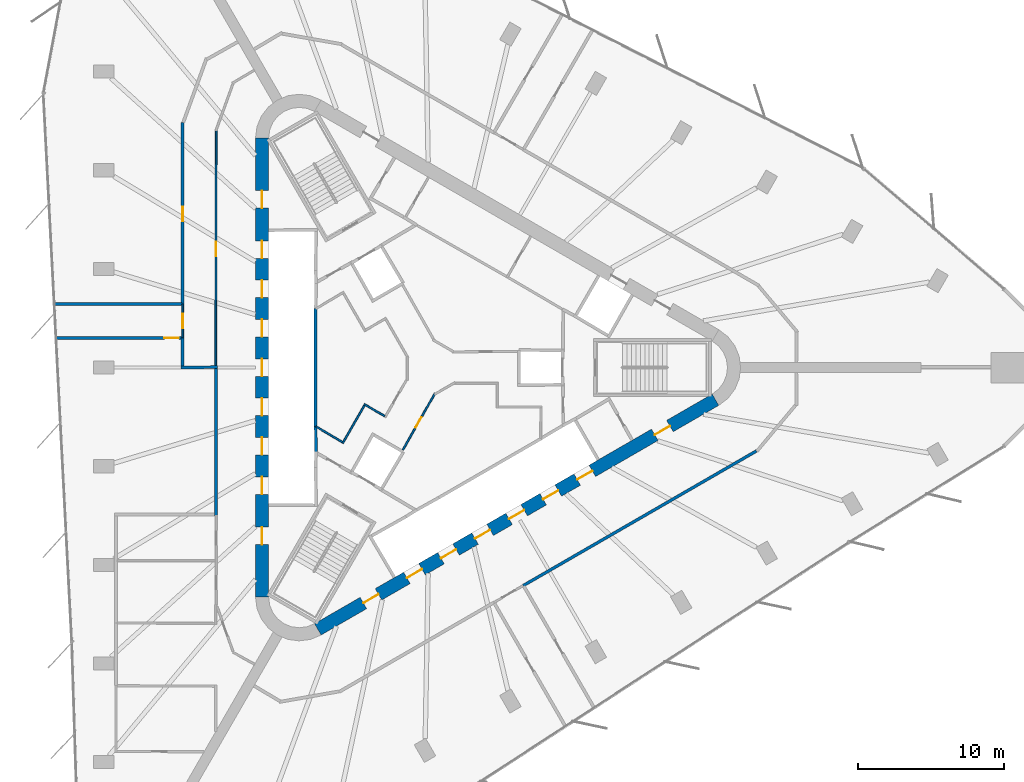
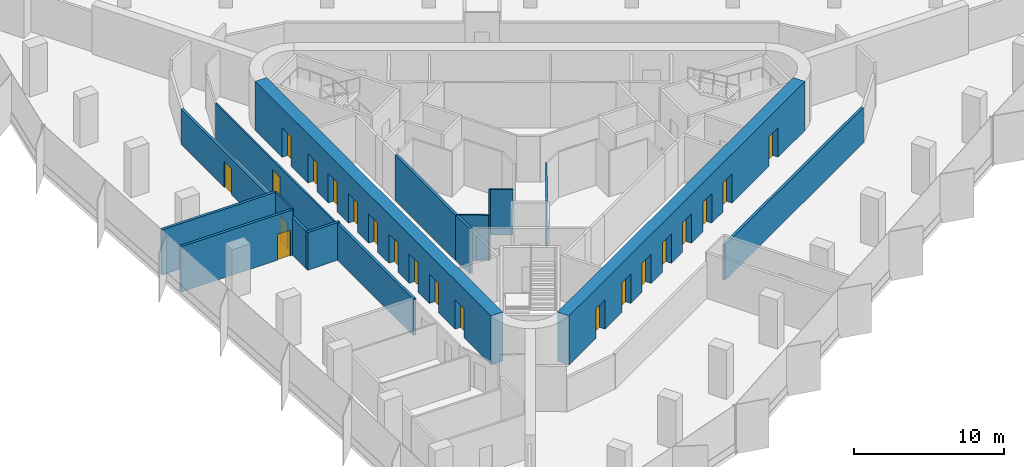
# One storey, part 9 of 13: 22 doors, 17 walls, 22 openings.
"""IFC4 building model written with IfcOpenShell, lengths in metres."""

from ifc_helpers import new_model, si_unit, direction, frame, frame_2d, origin, place, context, subcontext, project, spatial, rectangle, extrude, material, layer, layer_set, type_object, element, fill, save


model = new_model("IFC4")

# Units and contexts
model_context = context("Model", 3, precision=1e-05, world=origin(), true_north=direction((0.0, 1.0)))
body_context = subcontext(model_context, "Body", "Model", "MODEL_VIEW")
ifc_project = project(units=[si_unit("LENGTHUNIT", "METRE"), si_unit("AREAUNIT", "SQUARE_METRE"), si_unit("VOLUMEUNIT", "CUBIC_METRE"), si_unit("PLANEANGLEUNIT", "RADIAN"), si_unit("MASSUNIT", "GRAM", prefix="KILO")], contexts=[model_context])

# Site, building, storey
site_placement = place(None, origin())
site = spatial("IfcSite", under=ifc_project, at=site_placement, CompositionType="ELEMENT")
building_placement = place(site_placement, origin())
building = spatial("IfcBuilding", under=site, at=building_placement, Name="Tanit Gate Tower", CompositionType="ELEMENT")
storey_placement = place(building_placement, frame((0.0, 0.0, 177.199951171875)))
storey = spatial("IfcBuildingStorey", under=building, at=storey_placement, Name="L38", CompositionType="ELEMENT", Elevation=177.199951171875)

# Wall, openings, doors
ifc_material_1 = material(Name="Concrete C50/60", Category="concrete")
ifc_layer_1 = layer(ifc_material_1, 0.89990234375)
ifc_layer_set_1 = layer_set([ifc_layer_1], Name="CORE WALL 900 C50/60")
wall_type_1 = type_object("IfcWallType", Name="CORE WALL 900 C50/60", PredefinedType="SHEAR", material=ifc_layer_set_1)
wall_1_placement = place(storey_placement, frame((-11.64990234375, 15.76171875, 0.0), z_axis=(0.0, 0.0, 1.0), x_axis=(0.0, -1.0, 0.0)))
wall_1 = element("IfcWall", 1, at=wall_1_placement, inside=storey, type_object=wall_type_1, Name="CORE WALL", PredefinedType="SHEAR", context=body_context, shape_type="SweptSolid", body=[
    extrude(rectangle(XDim=31.5234375, YDim=0.89990234375, at=frame_2d((15.76171875, 0.0))), origin(), (0.0, 0.0, 1.0), 4.0),
])
opening_1_placement = place(wall_1_placement, frame((7.061767578125, 0.0, 0.0)))
opening_1 = element("IfcOpeningElement", 2, at=opening_1_placement, cuts=wall_1, Name="Opening LDML1-S09", PredefinedType="OPENING", context=body_context, shape_type="SweptSolid", body=[
    extrude(rectangle(XDim=1.199951171875, YDim=2.39990234375, at=frame_2d((0.60009765625, 1.199951171875))), frame((0.0, 0.4599609375, 0.0), z_axis=(0.0, -1.0, 0.0), x_axis=(1.0, 0.0, 0.0)), (0.0, 0.0, 1.0), 0.919921875),
])
opening_2_placement = place(wall_1_placement, frame((9.76171875, 0.0, 0.0)))
opening_2 = element("IfcOpeningElement", 3, at=opening_2_placement, cuts=wall_1, Name="Opening LDML2-S09", PredefinedType="OPENING", context=body_context, shape_type="SweptSolid", body=[
    extrude(rectangle(XDim=1.199951171875, YDim=2.39990234375, at=frame_2d((0.60009765625, 1.199951171875))), frame((0.0, 0.4599609375, 0.0), z_axis=(0.0, -1.0, 0.0), x_axis=(1.0, 0.0, 0.0)), (0.0, 0.0, 1.0), 0.919921875),
])
opening_3_placement = place(wall_1_placement, frame((12.461669921875, 0.0, 0.0)))
opening_3 = element("IfcOpeningElement", 4, at=opening_3_placement, cuts=wall_1, Name="Opening LDML3-S09", PredefinedType="OPENING", context=body_context, shape_type="SweptSolid", body=[
    extrude(rectangle(XDim=1.199951171875, YDim=2.39990234375, at=frame_2d((0.60009765625, 1.199951171875))), frame((0.0, 0.4599609375, 0.0), z_axis=(0.0, -1.0, 0.0), x_axis=(1.0, 0.0, 0.0)), (0.0, 0.0, 1.0), 0.919921875),
])
opening_4_placement = place(wall_1_placement, frame((15.16162109375, 0.0, 0.0)))
opening_4 = element("IfcOpeningElement", 5, at=opening_4_placement, cuts=wall_1, Name="Opening LDML4-S09", PredefinedType="OPENING", context=body_context, shape_type="SweptSolid", body=[
    extrude(rectangle(XDim=1.199951171875, YDim=2.39990234375, at=frame_2d((0.60009765625, 1.199951171875))), frame((0.0, 0.4599609375, 0.0), z_axis=(0.0, -1.0, 0.0), x_axis=(1.0, 0.0, 0.0)), (0.0, 0.0, 1.0), 0.919921875),
])
opening_5_placement = place(wall_1_placement, frame((17.86181640625, 0.0, 0.0)))
opening_5 = element("IfcOpeningElement", 6, at=opening_5_placement, cuts=wall_1, Name="Opening LDML5-S09", PredefinedType="OPENING", context=body_context, shape_type="SweptSolid", body=[
    extrude(rectangle(XDim=1.199951171875, YDim=2.39990234375, at=frame_2d((0.60009765625, 1.199951171875))), frame((0.0, 0.4599609375, 0.0), z_axis=(0.0, -1.0, 0.0), x_axis=(1.0, 0.0, 0.0)), (0.0, 0.0, 1.0), 0.919921875),
])
opening_6_placement = place(wall_1_placement, frame((20.561767578125, 0.0, 0.0)))
opening_6 = element("IfcOpeningElement", 7, at=opening_6_placement, cuts=wall_1, Name="Opening LDML6-S09", PredefinedType="OPENING", context=body_context, shape_type="SweptSolid", body=[
    extrude(rectangle(XDim=1.199951171875, YDim=2.39990234375, at=frame_2d((0.60009765625, 1.199951171875))), frame((0.0, 0.4599609375, 0.0), z_axis=(0.0, -1.0, 0.0), x_axis=(1.0, 0.0, 0.0)), (0.0, 0.0, 1.0), 0.919921875),
])
opening_7_placement = place(wall_1_placement, frame((23.26171875, 0.0, 0.0)))
opening_7 = element("IfcOpeningElement", 8, at=opening_7_placement, cuts=wall_1, Name="Opening LDML7-S09", PredefinedType="OPENING", context=body_context, shape_type="SweptSolid", body=[
    extrude(rectangle(XDim=1.199951171875, YDim=2.39990234375, at=frame_2d((0.60009765625, 1.199951171875))), frame((0.0, 0.4599609375, 0.0), z_axis=(0.0, -1.0, 0.0), x_axis=(1.0, 0.0, 0.0)), (0.0, 0.0, 1.0), 0.919921875),
])
opening_8_placement = place(wall_1_placement, frame((3.61181640625, 0.0, 0.0)))
opening_8 = element("IfcOpeningElement", 9, at=opening_8_placement, cuts=wall_1, Name="Opening F12-S09-FL2", PredefinedType="OPENING", context=body_context, shape_type="SweptSolid", body=[
    extrude(rectangle(XDim=1.199951171875, YDim=2.39990234375, at=frame_2d((0.60009765625, 1.199951171875))), frame((0.0, 0.4599609375, 0.0), z_axis=(0.0, -1.0, 0.0), x_axis=(1.0, 0.0, 0.0)), (0.0, 0.0, 1.0), 0.919921875),
])
opening_9_placement = place(wall_1_placement, frame((26.711669921875, 0.0, 0.0)))
opening_9 = element("IfcOpeningElement", 10, at=opening_9_placement, cuts=wall_1, Name="Opening F12-S09-S3", PredefinedType="OPENING", context=body_context, shape_type="SweptSolid", body=[
    extrude(rectangle(XDim=1.199951171875, YDim=2.39990234375, at=frame_2d((0.60009765625, 1.199951171875))), frame((0.0, 0.4599609375, 0.0), z_axis=(0.0, -1.0, 0.0), x_axis=(1.0, 0.0, 0.0)), (0.0, 0.0, 1.0), 0.919921875),
])
ifc_material_2 = material(Name="Fire-rated steel door leaf", Category="steel")
door_type_1 = type_object("IfcDoorType", Name="INT-DOOR-FIRE-LOBBY-1200", OperationType="NOTDEFINED", PredefinedType="USERDEFINED", material=ifc_material_2)
door_1_placement = place(opening_8_placement, origin())
door_1 = element("IfcDoor", 11, at=door_1_placement, inside=storey, type_object=door_type_1, Name="Door F12-S09-FL2", ObjectType="FIRE DOOR", OperationType="SINGLE_SWING_RIGHT", OverallHeight=2.39990234375, OverallWidth=1.199951171875, PredefinedType="USERDEFINED", context=body_context, shape_type="SweptSolid", body=[
    extrude(rectangle(XDim=1.199951171875, YDim=2.39990234375, at=frame_2d((0.60009765625, 1.199951171875))), frame((0.0, 0.02490234375, 0.0), z_axis=(0.0, -1.0, 0.0), x_axis=(1.0, 0.0, 0.0)), (0.0, 0.0, 1.0), 0.050048828125),
])
fill(opening_8, door_1)
door_2_placement = place(opening_9_placement, origin())
door_2 = element("IfcDoor", 12, at=door_2_placement, inside=storey, type_object=door_type_1, Name="Door F12-S09-S3", ObjectType="FIRE DOOR", OperationType="SINGLE_SWING_LEFT", OverallHeight=2.39990234375, OverallWidth=1.199951171875, PredefinedType="USERDEFINED", context=body_context, shape_type="SweptSolid", body=[
    extrude(rectangle(XDim=1.199951171875, YDim=2.39990234375, at=frame_2d((0.60009765625, 1.199951171875))), frame((0.0, 0.02490234375, 0.0), z_axis=(0.0, -1.0, 0.0), x_axis=(1.0, 0.0, 0.0)), (0.0, 0.0, 1.0), 0.050048828125),
])
fill(opening_9, door_2)
ifc_material_3 = material(Name="Stainless steel sliding door leaf", Category="steel")
door_type_2 = type_object("IfcDoorType", Name="INT-DOOR-LANDING-1200", OperationType="NOTDEFINED", PredefinedType="USERDEFINED", material=ifc_material_3)
door_3_placement = place(opening_1_placement, origin())
door_3 = element("IfcDoor", 13, at=door_3_placement, inside=storey, type_object=door_type_2, Name="Door LDML1-S09", ObjectType="LANDING DOOR", OperationType="SLIDING_TO_LEFT", OverallHeight=2.39990234375, OverallWidth=1.199951171875, PredefinedType="USERDEFINED", context=body_context, shape_type="SweptSolid", body=[
    extrude(rectangle(XDim=1.199951171875, YDim=2.39990234375, at=frame_2d((0.60009765625, 1.199951171875))), frame((0.0, 0.02490234375, 0.0), z_axis=(0.0, -1.0, 0.0), x_axis=(1.0, 0.0, 0.0)), (0.0, 0.0, 1.0), 0.050048828125),
])
fill(opening_1, door_3)
door_4_placement = place(opening_2_placement, origin())
door_4 = element("IfcDoor", 14, at=door_4_placement, inside=storey, type_object=door_type_2, Name="Door LDML2-S09", ObjectType="LANDING DOOR", OperationType="SLIDING_TO_LEFT", OverallHeight=2.39990234375, OverallWidth=1.199951171875, PredefinedType="USERDEFINED", context=body_context, shape_type="SweptSolid", body=[
    extrude(rectangle(XDim=1.199951171875, YDim=2.39990234375, at=frame_2d((0.60009765625, 1.199951171875))), frame((0.0, 0.02490234375, 0.0), z_axis=(0.0, -1.0, 0.0), x_axis=(1.0, 0.0, 0.0)), (0.0, 0.0, 1.0), 0.050048828125),
])
fill(opening_2, door_4)
door_5_placement = place(opening_3_placement, origin())
door_5 = element("IfcDoor", 15, at=door_5_placement, inside=storey, type_object=door_type_2, Name="Door LDML3-S09", ObjectType="LANDING DOOR", OperationType="SLIDING_TO_LEFT", OverallHeight=2.39990234375, OverallWidth=1.199951171875, PredefinedType="USERDEFINED", context=body_context, shape_type="SweptSolid", body=[
    extrude(rectangle(XDim=1.199951171875, YDim=2.39990234375, at=frame_2d((0.60009765625, 1.199951171875))), frame((0.0, 0.02490234375, 0.0), z_axis=(0.0, -1.0, 0.0), x_axis=(1.0, 0.0, 0.0)), (0.0, 0.0, 1.0), 0.050048828125),
])
fill(opening_3, door_5)
door_6_placement = place(opening_4_placement, origin())
door_6 = element("IfcDoor", 16, at=door_6_placement, inside=storey, type_object=door_type_2, Name="Door LDML4-S09", ObjectType="LANDING DOOR", OperationType="SLIDING_TO_LEFT", OverallHeight=2.39990234375, OverallWidth=1.199951171875, PredefinedType="USERDEFINED", context=body_context, shape_type="SweptSolid", body=[
    extrude(rectangle(XDim=1.199951171875, YDim=2.39990234375, at=frame_2d((0.60009765625, 1.199951171875))), frame((0.0, 0.02490234375, 0.0), z_axis=(0.0, -1.0, 0.0), x_axis=(1.0, 0.0, 0.0)), (0.0, 0.0, 1.0), 0.050048828125),
])
fill(opening_4, door_6)
door_7_placement = place(opening_5_placement, origin())
door_7 = element("IfcDoor", 17, at=door_7_placement, inside=storey, type_object=door_type_2, Name="Door LDML5-S09", ObjectType="LANDING DOOR", OperationType="SLIDING_TO_LEFT", OverallHeight=2.39990234375, OverallWidth=1.199951171875, PredefinedType="USERDEFINED", context=body_context, shape_type="SweptSolid", body=[
    extrude(rectangle(XDim=1.199951171875, YDim=2.39990234375, at=frame_2d((0.60009765625, 1.199951171875))), frame((0.0, 0.02490234375, 0.0), z_axis=(0.0, -1.0, 0.0), x_axis=(1.0, 0.0, 0.0)), (0.0, 0.0, 1.0), 0.050048828125),
])
fill(opening_5, door_7)
door_8_placement = place(opening_6_placement, origin())
door_8 = element("IfcDoor", 18, at=door_8_placement, inside=storey, type_object=door_type_2, Name="Door LDML6-S09", ObjectType="LANDING DOOR", OperationType="SLIDING_TO_LEFT", OverallHeight=2.39990234375, OverallWidth=1.199951171875, PredefinedType="USERDEFINED", context=body_context, shape_type="SweptSolid", body=[
    extrude(rectangle(XDim=1.199951171875, YDim=2.39990234375, at=frame_2d((0.60009765625, 1.199951171875))), frame((0.0, 0.02490234375, 0.0), z_axis=(0.0, -1.0, 0.0), x_axis=(1.0, 0.0, 0.0)), (0.0, 0.0, 1.0), 0.050048828125),
])
fill(opening_6, door_8)
door_9_placement = place(opening_7_placement, origin())
door_9 = element("IfcDoor", 19, at=door_9_placement, inside=storey, type_object=door_type_2, Name="Door LDML7-S09", ObjectType="LANDING DOOR", OperationType="SLIDING_TO_LEFT", OverallHeight=2.39990234375, OverallWidth=1.199951171875, PredefinedType="USERDEFINED", context=body_context, shape_type="SweptSolid", body=[
    extrude(rectangle(XDim=1.199951171875, YDim=2.39990234375, at=frame_2d((0.60009765625, 1.199951171875))), frame((0.0, 0.02490234375, 0.0), z_axis=(0.0, -1.0, 0.0), x_axis=(1.0, 0.0, 0.0)), (0.0, 0.0, 1.0), 0.050048828125),
])
fill(opening_7, door_9)

wall_2_placement = place(storey_placement, frame((-7.824951171875, -17.969970703125, 0.0), z_axis=(0.0, 0.0, 1.0), x_axis=(0.866028369851, 0.499994862586, 0.0)))
wall_2 = element("IfcWall", 20, at=wall_2_placement, inside=storey, type_object=wall_type_1, Name="CORE WALL", PredefinedType="SHEAR", context=body_context, shape_type="SweptSolid", body=[
    extrude(rectangle(XDim=31.523193359375, YDim=0.89990234375, at=frame_2d((15.76171875, 0.0))), origin(), (0.0, 0.0, 1.0), 4.0),
])
opening_10_placement = place(wall_2_placement, frame((7.061767578125, 0.0, 0.0)))
opening_10 = element("IfcOpeningElement", 21, at=opening_10_placement, cuts=wall_2, Name="Opening LDSX1-S09", PredefinedType="OPENING", context=body_context, shape_type="SweptSolid", body=[
    extrude(rectangle(XDim=1.199951171875, YDim=2.39990234375, at=frame_2d((0.60009765625, 1.199951171875))), frame((0.0, 0.4599609375, 0.0), z_axis=(0.0, -1.0, 0.0), x_axis=(1.0, 0.0, 0.0)), (0.0, 0.0, 1.0), 0.919921875),
])
opening_11_placement = place(wall_2_placement, frame((9.76171875, 0.0, 0.0)))
opening_11 = element("IfcOpeningElement", 22, at=opening_11_placement, cuts=wall_2, Name="Opening LDSX2-S09", PredefinedType="OPENING", context=body_context, shape_type="SweptSolid", body=[
    extrude(rectangle(XDim=1.199951171875, YDim=2.39990234375, at=frame_2d((0.60009765625, 1.199951171875))), frame((0.0, 0.4599609375, 0.0), z_axis=(0.0, -1.0, 0.0), x_axis=(1.0, 0.0, 0.0)), (0.0, 0.0, 1.0), 0.919921875),
])
opening_12_placement = place(wall_2_placement, frame((12.461669921875, 0.0, 0.0)))
opening_12 = element("IfcOpeningElement", 23, at=opening_12_placement, cuts=wall_2, Name="Opening LDSX3-S09", PredefinedType="OPENING", context=body_context, shape_type="SweptSolid", body=[
    extrude(rectangle(XDim=1.199951171875, YDim=2.39990234375, at=frame_2d((0.60009765625, 1.199951171875))), frame((0.0, 0.4599609375, 0.0), z_axis=(0.0, -1.0, 0.0), x_axis=(1.0, 0.0, 0.0)), (0.0, 0.0, 1.0), 0.919921875),
])
opening_13_placement = place(wall_2_placement, frame((15.16162109375, 0.0, 0.0)))
opening_13 = element("IfcOpeningElement", 24, at=opening_13_placement, cuts=wall_2, Name="Opening LDSX4-S09", PredefinedType="OPENING", context=body_context, shape_type="SweptSolid", body=[
    extrude(rectangle(XDim=1.199951171875, YDim=2.39990234375, at=frame_2d((0.60009765625, 1.199951171875))), frame((0.0, 0.4599609375, 0.0), z_axis=(0.0, -1.0, 0.0), x_axis=(1.0, 0.0, 0.0)), (0.0, 0.0, 1.0), 0.919921875),
])
opening_14_placement = place(wall_2_placement, frame((17.861572265625, 0.0, 0.0)))
opening_14 = element("IfcOpeningElement", 25, at=opening_14_placement, cuts=wall_2, Name="Opening LDSV1-S09", PredefinedType="OPENING", context=body_context, shape_type="SweptSolid", body=[
    extrude(rectangle(XDim=1.199951171875, YDim=2.39990234375, at=frame_2d((0.60009765625, 1.199951171875))), frame((0.0, 0.4599609375, 0.0), z_axis=(0.0, -1.0, 0.0), x_axis=(1.0, 0.0, 0.0)), (0.0, 0.0, 1.0), 0.919921875),
])
opening_15_placement = place(wall_2_placement, frame((20.561767578125, 0.0, 0.0)))
opening_15 = element("IfcOpeningElement", 26, at=opening_15_placement, cuts=wall_2, Name="Opening LDSV2-S09", PredefinedType="OPENING", context=body_context, shape_type="SweptSolid", body=[
    extrude(rectangle(XDim=1.199951171875, YDim=2.39990234375, at=frame_2d((0.60009765625, 1.199951171875))), frame((0.0, 0.4599609375, 0.0), z_axis=(0.0, -1.0, 0.0), x_axis=(1.0, 0.0, 0.0)), (0.0, 0.0, 1.0), 0.919921875),
])
opening_16_placement = place(wall_2_placement, frame((26.711669921875, 0.0, 0.0)))
opening_16 = element("IfcOpeningElement", 27, at=opening_16_placement, cuts=wall_2, Name="Opening F12-S09-S1", PredefinedType="OPENING", context=body_context, shape_type="SweptSolid", body=[
    extrude(rectangle(XDim=1.199951171875, YDim=2.39990234375, at=frame_2d((0.60009765625, 1.199951171875))), frame((0.0, 0.4599609375, 0.0), z_axis=(0.0, -1.0, 0.0), x_axis=(1.0, 0.0, 0.0)), (0.0, 0.0, 1.0), 0.919921875),
])
opening_17_placement = place(wall_2_placement, frame((3.611572265625, 0.0, 0.0)))
opening_17 = element("IfcOpeningElement", 28, at=opening_17_placement, cuts=wall_2, Name="Opening F12-S09-FL3", PredefinedType="OPENING", context=body_context, shape_type="SweptSolid", body=[
    extrude(rectangle(XDim=1.199951171875, YDim=2.39990234375, at=frame_2d((0.60009765625, 1.199951171875))), frame((0.0, 0.4599609375, 0.0), z_axis=(0.0, -1.0, 0.0), x_axis=(1.0, 0.0, 0.0)), (0.0, 0.0, 1.0), 0.919921875),
])
door_10_placement = place(opening_16_placement, origin())
door_10 = element("IfcDoor", 29, at=door_10_placement, inside=storey, type_object=door_type_1, Name="Door F12-S09-S1", ObjectType="FIRE DOOR", OperationType="SINGLE_SWING_RIGHT", OverallHeight=2.39990234375, OverallWidth=1.199951171875, PredefinedType="USERDEFINED", context=body_context, shape_type="SweptSolid", body=[
    extrude(rectangle(XDim=1.199951171875, YDim=2.39990234375, at=frame_2d((0.60009765625, 1.199951171875))), frame((0.0, 0.02490234375, 0.0), z_axis=(0.0, -1.0, 0.0), x_axis=(1.0, 0.0, 0.0)), (0.0, 0.0, 1.0), 0.050048828125),
])
fill(opening_16, door_10)
door_11_placement = place(opening_17_placement, origin())
door_11 = element("IfcDoor", 30, at=door_11_placement, inside=storey, type_object=door_type_1, Name="Door F12-S09-FL3", ObjectType="FIRE DOOR", OperationType="SINGLE_SWING_RIGHT", OverallHeight=2.39990234375, OverallWidth=1.199951171875, PredefinedType="USERDEFINED", context=body_context, shape_type="SweptSolid", body=[
    extrude(rectangle(XDim=1.199951171875, YDim=2.39990234375, at=frame_2d((0.60009765625, 1.199951171875))), frame((0.0, 0.02490234375, 0.0), z_axis=(0.0, -1.0, 0.0), x_axis=(1.0, 0.0, 0.0)), (0.0, 0.0, 1.0), 0.050048828125),
])
fill(opening_17, door_11)
door_12_placement = place(opening_10_placement, origin())
door_12 = element("IfcDoor", 31, at=door_12_placement, inside=storey, type_object=door_type_2, Name="Door LDSX1-S09", ObjectType="LANDING DOOR", OperationType="SLIDING_TO_LEFT", OverallHeight=2.39990234375, OverallWidth=1.199951171875, PredefinedType="USERDEFINED", context=body_context, shape_type="SweptSolid", body=[
    extrude(rectangle(XDim=1.199951171875, YDim=2.39990234375, at=frame_2d((0.60009765625, 1.199951171875))), frame((0.0, 0.02490234375, 0.0), z_axis=(0.0, -1.0, 0.0), x_axis=(1.0, 0.0, 0.0)), (0.0, 0.0, 1.0), 0.050048828125),
])
fill(opening_10, door_12)
door_13_placement = place(opening_11_placement, origin())
door_13 = element("IfcDoor", 32, at=door_13_placement, inside=storey, type_object=door_type_2, Name="Door LDSX2-S09", ObjectType="LANDING DOOR", OperationType="SLIDING_TO_LEFT", OverallHeight=2.39990234375, OverallWidth=1.199951171875, PredefinedType="USERDEFINED", context=body_context, shape_type="SweptSolid", body=[
    extrude(rectangle(XDim=1.199951171875, YDim=2.39990234375, at=frame_2d((0.60009765625, 1.199951171875))), frame((0.0, 0.02490234375, 0.0), z_axis=(0.0, -1.0, 0.0), x_axis=(1.0, 0.0, 0.0)), (0.0, 0.0, 1.0), 0.050048828125),
])
fill(opening_11, door_13)
door_14_placement = place(opening_12_placement, origin())
door_14 = element("IfcDoor", 33, at=door_14_placement, inside=storey, type_object=door_type_2, Name="Door LDSX3-S09", ObjectType="LANDING DOOR", OperationType="SLIDING_TO_LEFT", OverallHeight=2.39990234375, OverallWidth=1.199951171875, PredefinedType="USERDEFINED", context=body_context, shape_type="SweptSolid", body=[
    extrude(rectangle(XDim=1.199951171875, YDim=2.39990234375, at=frame_2d((0.60009765625, 1.199951171875))), frame((0.0, 0.02490234375, 0.0), z_axis=(0.0, -1.0, 0.0), x_axis=(1.0, 0.0, 0.0)), (0.0, 0.0, 1.0), 0.050048828125),
])
fill(opening_12, door_14)
door_15_placement = place(opening_13_placement, origin())
door_15 = element("IfcDoor", 34, at=door_15_placement, inside=storey, type_object=door_type_2, Name="Door LDSX4-S09", ObjectType="LANDING DOOR", OperationType="SLIDING_TO_LEFT", OverallHeight=2.39990234375, OverallWidth=1.199951171875, PredefinedType="USERDEFINED", context=body_context, shape_type="SweptSolid", body=[
    extrude(rectangle(XDim=1.199951171875, YDim=2.39990234375, at=frame_2d((0.60009765625, 1.199951171875))), frame((0.0, 0.02490234375, 0.0), z_axis=(0.0, -1.0, 0.0), x_axis=(1.0, 0.0, 0.0)), (0.0, 0.0, 1.0), 0.050048828125),
])
fill(opening_13, door_15)
door_16_placement = place(opening_14_placement, origin())
door_16 = element("IfcDoor", 35, at=door_16_placement, inside=storey, type_object=door_type_2, Name="Door LDSV1-S09", ObjectType="LANDING DOOR", OperationType="SLIDING_TO_LEFT", OverallHeight=2.39990234375, OverallWidth=1.199951171875, PredefinedType="USERDEFINED", context=body_context, shape_type="SweptSolid", body=[
    extrude(rectangle(XDim=1.199951171875, YDim=2.39990234375, at=frame_2d((0.60009765625, 1.199951171875))), frame((0.0, 0.02490234375, 0.0), z_axis=(0.0, -1.0, 0.0), x_axis=(1.0, 0.0, 0.0)), (0.0, 0.0, 1.0), 0.050048828125),
])
fill(opening_14, door_16)
door_17_placement = place(opening_15_placement, origin())
door_17 = element("IfcDoor", 36, at=door_17_placement, inside=storey, type_object=door_type_2, Name="Door LDSV2-S09", ObjectType="LANDING DOOR", OperationType="SLIDING_TO_LEFT", OverallHeight=2.39990234375, OverallWidth=1.199951171875, PredefinedType="USERDEFINED", context=body_context, shape_type="SweptSolid", body=[
    extrude(rectangle(XDim=1.199951171875, YDim=2.39990234375, at=frame_2d((0.60009765625, 1.199951171875))), frame((0.0, 0.02490234375, 0.0), z_axis=(0.0, -1.0, 0.0), x_axis=(1.0, 0.0, 0.0)), (0.0, 0.0, 1.0), 0.050048828125),
])
fill(opening_15, door_17)

# Wall
ifc_material_4 = material(Name="Fire-rated gypsum board partition")
ifc_layer_2 = layer(ifc_material_4, 0.199951171875)
ifc_layer_set_2 = layer_set([ifc_layer_2], Name="INT-WALL-COMPARTMENT")
wall_type_2 = type_object("IfcWallType", Name="INT-WALL-COMPARTMENT", PredefinedType="PARTITIONING", material=ifc_layer_set_2)
wall_3_placement = place(storey_placement, frame((-17.199951171875, -0.001220703125, 0.0), z_axis=(0.0, 0.0, 1.0), x_axis=(0.999915662945, 0.012987185857, 0.0)))
element("IfcWall", 37, at=wall_3_placement, inside=storey, type_object=wall_type_2, Name="Wall Compartment W087", PredefinedType="PARTITIONING", context=body_context, shape_type="SweptSolid", body=[
    extrude(rectangle(XDim=2.500244140625, YDim=0.199951171875, at=frame_2d((1.25, 0.0))), origin(), (0.0, 0.0, 1.0), 3.070068359375),
])

# Wall, opening, door
wall_4_placement = place(storey_placement, frame((-17.10009765625, 16.82275390625, 0.0), z_axis=(0.0, 0.0, 1.0), x_axis=(0.0, -1.0, 0.0)))
wall_4 = element("IfcWall", 38, at=wall_4_placement, inside=storey, type_object=wall_type_2, Name="Wall Compartment W089", PredefinedType="PARTITIONING", context=body_context, shape_type="SweptSolid", body=[
    extrude(rectangle(XDim=12.47265625, YDim=0.199951171875, at=frame_2d((6.236328125, 0.0))), origin(), (0.0, 0.0, 1.0), 2.880126953125),
])
opening_18_placement = place(wall_4_placement, frame((5.7763671875, 0.0, 0.0)))
opening_18 = element("IfcOpeningElement", 39, at=opening_18_placement, cuts=wall_4, Name="Opening F10-S09-25", PredefinedType="OPENING", context=body_context, shape_type="SweptSolid", body=[
    extrude(rectangle(XDim=1.0, YDim=2.10009765625, at=frame_2d((0.5, 1.050048828125))), frame((0.0, 0.10986328125, 0.0), z_axis=(0.0, -1.0, 0.0), x_axis=(1.0, 0.0, 0.0)), (0.0, 0.0, 1.0), 0.219970703125),
])
ifc_material_5 = material(Name="Fire-rated steel door leaf", Category="steel")
door_type_3 = type_object("IfcDoorType", Name="INT-DOOR-FIRE-1000", OperationType="NOTDEFINED", PredefinedType="USERDEFINED", material=ifc_material_5)
door_18_placement = place(opening_18_placement, origin())
door_18 = element("IfcDoor", 40, at=door_18_placement, inside=storey, type_object=door_type_3, Name="Door F10-S09-25", ObjectType="FIRE DOOR", OperationType="SINGLE_SWING_RIGHT", OverallHeight=2.10009765625, OverallWidth=1.0, PredefinedType="USERDEFINED", context=body_context, shape_type="SweptSolid", body=[
    extrude(rectangle(XDim=1.0, YDim=2.10009765625, at=frame_2d((0.5, 1.050048828125))), frame((0.0, 0.02490234375, 0.0), z_axis=(0.0, -1.0, 0.0), x_axis=(1.0, 0.0, 0.0)), (0.0, 0.0, 1.0), 0.050048828125),
])
fill(opening_18, door_18)

# Walls
wall_5_placement = place(storey_placement, frame((-17.10009765625, 2.050048828125, 0.0), z_axis=(0.0, 0.0, 1.0), x_axis=(0.0, -1.0, 0.0)))
element("IfcWall", 41, at=wall_5_placement, inside=storey, type_object=wall_type_2, Name="Wall Compartment W088", PredefinedType="PARTITIONING", context=body_context, shape_type="SweptSolid", body=[
    extrude(rectangle(XDim=1.949951171875, YDim=0.199951171875, at=frame_2d((0.97509765625, 0.0))), origin(), (0.0, 0.0, 1.0), 3.070068359375),
])
wall_6_placement = place(storey_placement, frame((-14.800048828125, -0.070068359375, 0.0), z_axis=(0.0, 0.0, 1.0), x_axis=(0.0, -1.0, 0.0)))
element("IfcWall", 42, at=wall_6_placement, inside=storey, type_object=wall_type_2, Name="Wall Compartment W092", PredefinedType="PARTITIONING", context=body_context, shape_type="SweptSolid", body=[
    extrude(rectangle(XDim=10.1298828125, YDim=0.199951171875, at=frame_2d((5.06494140625, 0.0))), origin(), (0.0, 0.0, 1.0), 2.97998046875),
])
wall_7_placement = place(storey_placement, frame((6.274658203125, -14.968017578125, 0.0), z_axis=(0.0, 0.0, 1.0), x_axis=(0.866028424491, 0.499994767946, 0.0)))
element("IfcWall", 43, at=wall_7_placement, inside=storey, type_object=wall_type_2, Name="Wall Compartment W107", PredefinedType="PARTITIONING", context=body_context, shape_type="SweptSolid", body=[
    extrude(rectangle(XDim=18.496337890625, YDim=0.199951171875, at=frame_2d((9.248046875, 0.0))), origin(), (0.0, 0.0, 1.0), 2.880126953125),
])

# Wall, opening, door
wall_8_placement = place(storey_placement, frame((-25.783935546875, 2.030029296875, 0.0), z_axis=(0.0, 0.0, 1.0), x_axis=(1.0, 0.0, 0.0)))
wall_8 = element("IfcWall", 44, at=wall_8_placement, inside=storey, type_object=wall_type_2, Name="Wall Compartment W111", PredefinedType="PARTITIONING", context=body_context, shape_type="SweptSolid", body=[
    extrude(rectangle(XDim=8.6240234375, YDim=0.199951171875, at=frame_2d((4.31201171875, 0.0))), origin(), (0.0, 0.0, 1.0), 3.699951171875),
])
opening_19_placement = place(wall_8_placement, frame((7.423828125, 0.0, 0.0)))
opening_19 = element("IfcOpeningElement", 45, at=opening_19_placement, cuts=wall_8, Name="Opening F10-S09-24", PredefinedType="OPENING", context=body_context, shape_type="SweptSolid", body=[
    extrude(rectangle(XDim=1.0, YDim=2.10009765625, at=frame_2d((0.5, 1.050048828125))), frame((0.0, 0.10986328125, 0.0), z_axis=(0.0, -1.0, 0.0), x_axis=(1.0, 0.0, 0.0)), (0.0, 0.0, 1.0), 0.219970703125),
])
door_19_placement = place(opening_19_placement, origin())
door_19 = element("IfcDoor", 46, at=door_19_placement, inside=storey, type_object=door_type_3, Name="Door F10-S09-24", ObjectType="FIRE DOOR", OperationType="SINGLE_SWING_LEFT", OverallHeight=2.10009765625, OverallWidth=1.0, PredefinedType="USERDEFINED", context=body_context, shape_type="SweptSolid", body=[
    extrude(rectangle(XDim=1.0, YDim=2.10009765625, at=frame_2d((0.5, 1.050048828125))), frame((0.0, 0.02490234375, 0.0), z_axis=(0.0, -1.0, 0.0), x_axis=(1.0, 0.0, 0.0)), (0.0, 0.0, 1.0), 0.050048828125),
])
fill(opening_19, door_19)

# Wall
wall_9_placement = place(storey_placement, frame((-17.159912109375, 4.3701171875, 0.0), z_axis=(0.0, 0.0, 1.0), x_axis=(-1.0, 0.0, 0.0)))
element("IfcWall", 47, at=wall_9_placement, inside=storey, type_object=wall_type_2, Name="Wall Compartment W112", PredefinedType="PARTITIONING", context=body_context, shape_type="SweptSolid", body=[
    extrude(rectangle(XDim=8.745361328125, YDim=0.199951171875, at=frame_2d((4.37255859375, 0.0))), origin(), (0.0, 0.0, 1.0), 3.699951171875),
])

# Wall, opening, door
ifc_material_6 = material(Name="Gypsum board partition")
ifc_layer_3 = layer(ifc_material_6, 0.1201171875)
ifc_layer_set_3 = layer_set([ifc_layer_3], Name="INT-WALL-PARTITION")
wall_type_3 = type_object("IfcWallType", Name="INT-WALL-PARTITION", PredefinedType="PARTITIONING", material=ifc_layer_set_3)
wall_10_placement = place(storey_placement, frame((0.223876953125, -1.760986328125, 0.0), z_axis=(0.0, 0.0, 1.0), x_axis=(-0.494327216836, -0.869275907118, 0.0)))
wall_10 = element("IfcWall", 48, at=wall_10_placement, inside=storey, type_object=wall_type_3, Name="Wall Partition W068", PredefinedType="PARTITIONING", context=body_context, shape_type="SweptSolid", body=[
    extrude(rectangle(XDim=4.487060546875, YDim=0.1201171875, at=frame_2d((2.24365234375, 0.0))), origin(), (0.0, 0.0, 1.0), 3.699951171875),
])
opening_20_placement = place(wall_10_placement, frame((1.89453125, 0.0, 0.0)))
opening_20 = element("IfcOpeningElement", 49, at=opening_20_placement, cuts=wall_10, Name="Opening R08-S09-11", PredefinedType="OPENING", context=body_context, shape_type="SweptSolid", body=[
    extrude(rectangle(XDim=0.800048828125, YDim=2.10009765625, at=frame_2d((0.39990234375, 1.050048828125))), frame((0.0, 0.070068359375, 0.0), z_axis=(0.0, -1.0, 0.0), x_axis=(1.0, 0.0, 0.0)), (0.0, 0.0, 1.0), 0.14013671875),
])
ifc_material_7 = material(Name="Timber door leaf", Category="wood")
door_type_4 = type_object("IfcDoorType", Name="INT-DOOR-RISER-800", OperationType="NOTDEFINED", PredefinedType="USERDEFINED", material=ifc_material_7)
door_20_placement = place(opening_20_placement, origin())
door_20 = element("IfcDoor", 50, at=door_20_placement, inside=storey, type_object=door_type_4, Name="Door R08-S09-11", ObjectType="FIRE DOOR", OperationType="SINGLE_SWING_RIGHT", OverallHeight=2.10009765625, OverallWidth=0.800048828125, PredefinedType="USERDEFINED", context=body_context, shape_type="SweptSolid", body=[
    extrude(rectangle(XDim=0.800048828125, YDim=2.10009765625, at=frame_2d((0.39990234375, 1.050048828125))), frame((0.0, 0.02490234375, 0.0), z_axis=(0.0, -1.0, 0.0), x_axis=(1.0, 0.0, 0.0)), (0.0, 0.0, 1.0), 0.050048828125),
])
fill(opening_20, door_20)

# Walls
wall_11_placement = place(storey_placement, frame((-4.64013671875, -2.51708984375, 0.0), z_axis=(0.0, 0.0, 1.0), x_axis=(0.866015446554, -0.500017246033, 0.0)))
element("IfcWall", 51, at=wall_11_placement, inside=storey, type_object=wall_type_3, Name="Wall Partition W080", PredefinedType="PARTITIONING", context=body_context, shape_type="SweptSolid", body=[
    extrude(rectangle(XDim=1.625, YDim=0.1201171875, at=frame_2d((0.8125, 0.0))), origin(), (0.0, 0.0, 1.0), 3.699951171875),
])
wall_12_placement = place(storey_placement, frame((-6.1181640625, -5.197265625, 0.0), z_axis=(0.0, 0.0, 1.0), x_axis=(0.499990139034, 0.866031096941, 0.0)))
element("IfcWall", 52, at=wall_12_placement, inside=storey, type_object=wall_type_3, Name="Wall Partition W081", PredefinedType="PARTITIONING", context=body_context, shape_type="SweptSolid", body=[
    extrude(rectangle(XDim=3.0, YDim=0.1201171875, at=frame_2d((1.5, 0.0))), origin(), (0.0, 0.0, 1.0), 3.699951171875),
])
wall_13_placement = place(storey_placement, frame((-7.949951171875, -4.041015625, 0.0), z_axis=(0.0, 0.0, 1.0), x_axis=(0.860112457103, -0.510104461004, 0.0)))
element("IfcWall", 53, at=wall_13_placement, inside=storey, type_object=wall_type_3, Name="Wall Partition W082", PredefinedType="PARTITIONING", context=body_context, shape_type="SweptSolid", body=[
    extrude(rectangle(XDim=2.1044921875, YDim=0.1201171875, at=frame_2d((1.05224609375, 0.0))), origin(), (0.0, 0.0, 1.0), 3.699951171875),
])

# Wall, opening, door
wall_14_placement = place(storey_placement, frame((-14.800048828125, 16.257080078125, 0.0), z_axis=(0.0, 0.0, 1.0), x_axis=(-0.001847148781, -0.999998294019, 0.0)))
wall_14 = element("IfcWall", 54, at=wall_14_placement, inside=storey, type_object=wall_type_3, Name="Wall Partition W085", PredefinedType="PARTITIONING", context=body_context, shape_type="SweptSolid", body=[
    extrude(rectangle(XDim=16.257080078125, YDim=0.1201171875, at=frame_2d((8.12841796875, 0.0))), origin(), (0.0, 0.0, 1.0), 2.880126953125),
])
opening_21_placement = place(wall_14_placement, frame((7.628662109375, 0.0, 0.0)))
opening_21 = element("IfcOpeningElement", 55, at=opening_21_placement, cuts=wall_14, Name="Opening D10-S09-16", PredefinedType="OPENING", context=body_context, shape_type="SweptSolid", body=[
    extrude(rectangle(XDim=1.0, YDim=2.10009765625, at=frame_2d((0.5, 1.050048828125))), frame((0.0, 0.070068359375, 0.0), z_axis=(0.0, -1.0, 0.0), x_axis=(1.0, 0.0, 0.0)), (0.0, 0.0, 1.0), 0.14013671875),
])
ifc_material_8 = material(Name="Timber door leaf", Category="wood")
door_type_5 = type_object("IfcDoorType", Name="INT-DOOR-SINGLE-1000", OperationType="NOTDEFINED", PredefinedType="NOTDEFINED", material=ifc_material_8)
door_21_placement = place(opening_21_placement, origin())
door_21 = element("IfcDoor", 56, at=door_21_placement, inside=storey, type_object=door_type_5, Name="Door D10-S09-16", OperationType="SINGLE_SWING_LEFT", OverallHeight=2.10009765625, OverallWidth=1.0, PredefinedType="NOTDEFINED", context=body_context, shape_type="SweptSolid", body=[
    extrude(rectangle(XDim=1.0, YDim=2.10009765625, at=frame_2d((0.5, 1.050048828125))), frame((0.0, 0.02490234375, 0.0), z_axis=(0.0, -1.0, 0.0), x_axis=(1.0, 0.0, 0.0)), (0.0, 0.0, 1.0), 0.050048828125),
])
fill(opening_21, door_21)

wall_15_placement = place(storey_placement, frame((-17.10009765625, 4.35009765625, 0.0), z_axis=(0.0, 0.0, 1.0), x_axis=(0.0, -1.0, 0.0)))
wall_15 = element("IfcWall", 57, at=wall_15_placement, inside=storey, type_object=wall_type_3, Name="Wall Partition W086", PredefinedType="PARTITIONING", context=body_context, shape_type="SweptSolid", body=[
    extrude(rectangle(XDim=2.300048828125, YDim=0.1201171875, at=frame_2d((1.14990234375, 0.0))), origin(), (0.0, 0.0, 1.0), 3.699951171875),
])
opening_22_placement = place(wall_15_placement, frame((0.64990234375, 0.0, 0.0)))
opening_22 = element("IfcOpeningElement", 58, at=opening_22_placement, cuts=wall_15, Name="Opening D10-S09-17", PredefinedType="OPENING", context=body_context, shape_type="SweptSolid", body=[
    extrude(rectangle(XDim=1.0, YDim=2.10009765625, at=frame_2d((0.5, 1.050048828125))), frame((0.0, 0.070068359375, 0.0), z_axis=(0.0, -1.0, 0.0), x_axis=(1.0, 0.0, 0.0)), (0.0, 0.0, 1.0), 0.14013671875),
])
door_22_placement = place(opening_22_placement, origin())
door_22 = element("IfcDoor", 59, at=door_22_placement, inside=storey, type_object=door_type_5, Name="Door D10-S09-17", OperationType="SINGLE_SWING_LEFT", OverallHeight=2.10009765625, OverallWidth=1.0, PredefinedType="NOTDEFINED", context=body_context, shape_type="SweptSolid", body=[
    extrude(rectangle(XDim=1.0, YDim=2.10009765625, at=frame_2d((0.5, 1.050048828125))), frame((0.0, 0.02490234375, 0.0), z_axis=(0.0, -1.0, 0.0), x_axis=(1.0, 0.0, 0.0)), (0.0, 0.0, 1.0), 0.050048828125),
])
fill(opening_22, door_22)

# Walls
ifc_material_9 = material(Name="Gypsum shaft wall system")
ifc_layer_4 = layer(ifc_material_9, 0.199951171875)
ifc_layer_set_4 = layer_set([ifc_layer_4], Name="INT-WALL-SHAFT")
wall_type_4 = type_object("IfcWallType", Name="INT-WALL-SHAFT", PredefinedType="PLUMBINGWALL", material=ifc_layer_set_4)
wall_16_placement = place(storey_placement, frame((-7.97998046875, 4.050048828125, 0.0), z_axis=(0.0, 0.0, 1.0), x_axis=(0.0, -1.0, 0.0)))
element("IfcWall", 60, at=wall_16_placement, inside=storey, type_object=wall_type_4, Name="Wall Shaft W005", PredefinedType="PLUMBINGWALL", context=body_context, shape_type="SweptSolid", body=[
    extrude(rectangle(XDim=8.10009765625, YDim=0.199951171875, at=frame_2d((4.050048828125, 0.0))), origin(), (0.0, 0.0, 1.0), 3.699951171875),
])
wall_17_placement = place(storey_placement, frame((-7.971435546875, -4.050048828125, 0.0), z_axis=(0.0, 0.0, 1.0), x_axis=(0.012042535896, -0.999927486035, 0.0)))
element("IfcWall", 61, at=wall_17_placement, inside=storey, type_object=wall_type_4, Name="Wall Shaft W009", PredefinedType="PLUMBINGWALL", context=body_context, shape_type="SweptSolid", body=[
    extrude(rectangle(XDim=1.844970703125, YDim=0.199951171875, at=frame_2d((0.92236328125, 0.0))), origin(), (0.0, 0.0, 1.0), 3.699951171875),
])

save(model, "model.ifc")
